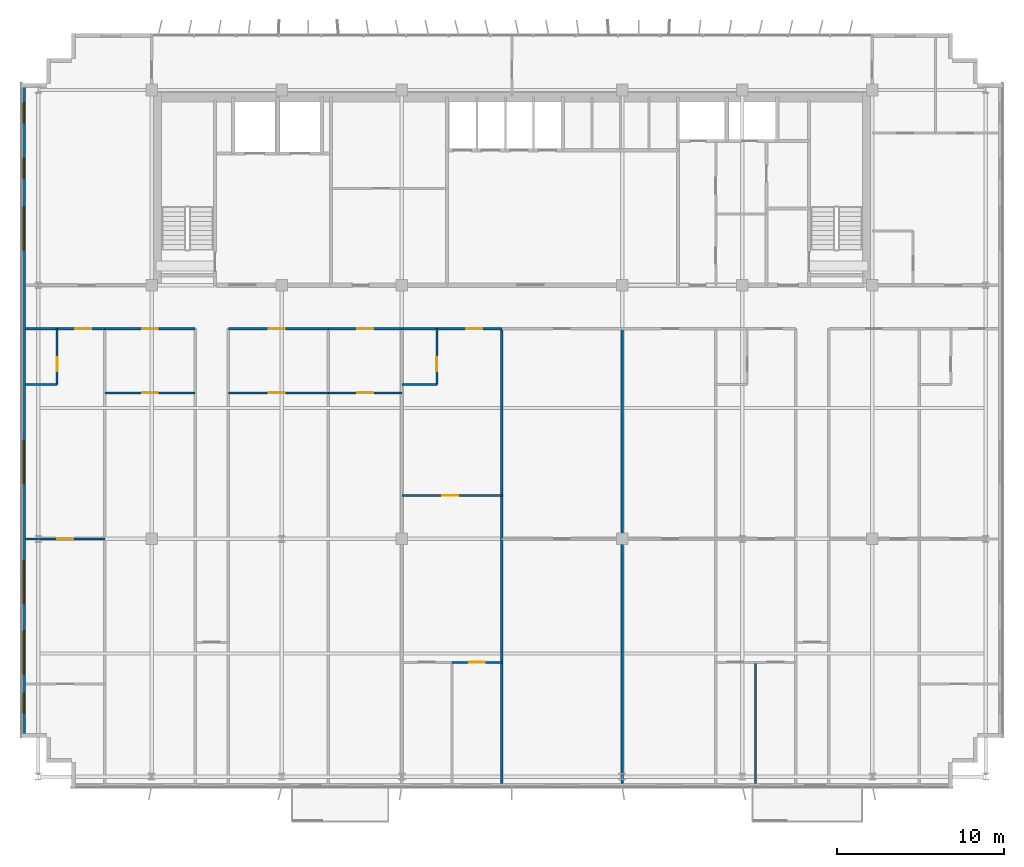
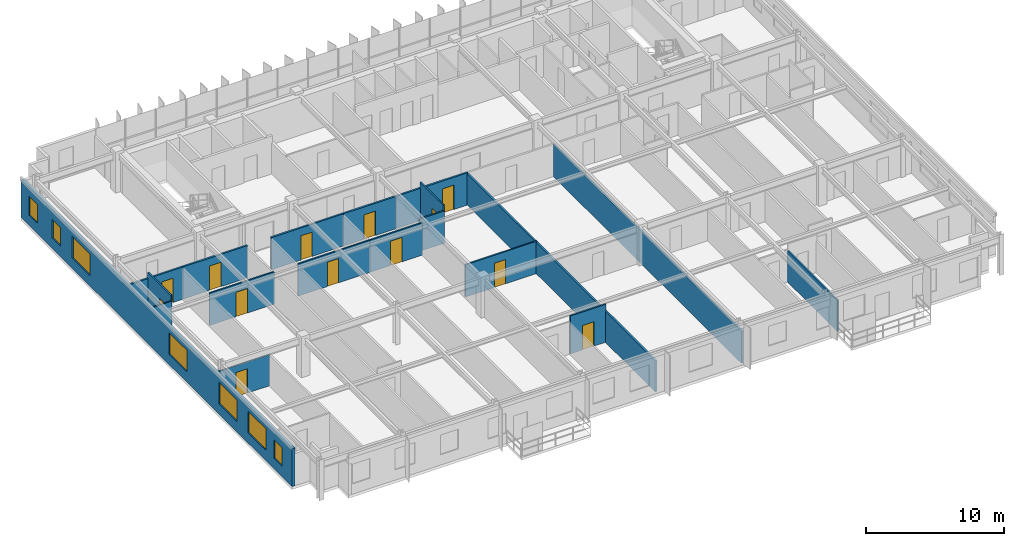
# One storey, part 15 of 21: 19 walls, 13 doors, 7 windows, 20 openings.
"""IFC4 building model written with IfcOpenShell, lengths in metres."""

from ifc_helpers import new_model, si_unit, direction, frame, frame_2d, origin, place, context, subcontext, project, spatial, rectangle, extrude, source, transform, mapped, material, layer, layer_set, type_object, element, fill, save


model = new_model("IFC4")

# Units and contexts
model_context = context("Model", 3, precision=1e-05, world=origin(), true_north=direction((0.0, 1.0)))
body_context = subcontext(model_context, "Body", "Model", "MODEL_VIEW")
ifc_project = project(units=[si_unit("LENGTHUNIT", "METRE"), si_unit("AREAUNIT", "SQUARE_METRE"), si_unit("VOLUMEUNIT", "CUBIC_METRE"), si_unit("PLANEANGLEUNIT", "RADIAN"), si_unit("MASSUNIT", "GRAM", prefix="KILO")], contexts=[model_context])

# Site, building, storey
site_placement = place(None, origin())
site = spatial("IfcSite", under=ifc_project, at=site_placement, CompositionType="ELEMENT")
building_placement = place(site_placement, origin())
building = spatial("IfcBuilding", under=site, at=building_placement, Name="Trelvane Seafront Commons", CompositionType="ELEMENT")
storey_placement = place(building_placement, frame((0.0, 0.0, 160.89990234375)))
storey = spatial("IfcBuildingStorey", under=building, at=storey_placement, Name="L42", CompositionType="ELEMENT", Elevation=160.89990234375)

# Wall, openings, windows
ifc_material_1 = material(Name="Precast concrete C40/50", Category="concrete")
ifc_layer_1 = layer(ifc_material_1, 0.239990234375, Name="ARCH-WALL-EXT240")
ifc_layer_set_1 = layer_set([ifc_layer_1], Name="Precast concrete C40/50")
wall_type_1 = type_object("IfcWallType", Name="ARCH-WALL-EXT240", PredefinedType="SOLIDWALL", material=ifc_layer_set_1)
wall_1_placement = place(storey_placement, frame((7.919921875, 6.300048828125, 0.0), z_axis=(0.0, 0.0, 1.0), x_axis=(0.0, 1.0, 0.0)))
wall_1 = element("IfcWall", 1, at=wall_1_placement, inside=storey, type_object=wall_type_1, Name="EW-L42-00826", PredefinedType="SOLIDWALL", context=body_context, shape_type="SweptSolid", body=[
    extrude(rectangle(XDim=39.199951171875, YDim=0.239990234375, at=frame_2d((19.60009765625, 0.0))), origin(), (0.0, 0.0, 1.0), 3.35009765625),
])
opening_1_placement = place(wall_1_placement, frame((1.449951171875, 0.0, 0.919921875)))
opening_1 = element("IfcOpeningElement", 2, at=opening_1_placement, cuts=wall_1, Name="Opening W05", PredefinedType="OPENING", context=body_context, shape_type="SweptSolid", body=[
    extrude(rectangle(XDim=1.199951171875, YDim=1.64990234375, at=frame_2d((0.60009765625, 0.824951171875))), frame((0.0, 0.1298828125, 0.0), z_axis=(0.0, -1.0, 0.0), x_axis=(1.0, 0.0, 0.0)), (0.0, 0.0, 1.0), 0.260009765625),
])
opening_2_placement = place(wall_1_placement, frame((3.800048828125, 0.0, 0.919921875)))
opening_2 = element("IfcOpeningElement", 3, at=opening_2_placement, cuts=wall_1, Name="Opening W04", PredefinedType="OPENING", context=body_context, shape_type="SweptSolid", body=[
    extrude(rectangle(XDim=2.60009765625, YDim=1.89990234375, at=frame_2d((1.300048828125, 0.949951171875))), frame((0.0, 0.1298828125, 0.0), z_axis=(0.0, -1.0, 0.0), x_axis=(1.0, 0.0, 0.0)), (0.0, 0.0, 1.0), 0.260009765625),
])
opening_3_placement = place(wall_1_placement, frame((8.0, 0.0, 0.919921875)))
opening_3 = element("IfcOpeningElement", 4, at=opening_3_placement, cuts=wall_1, Name="Opening W04", PredefinedType="OPENING", context=body_context, shape_type="SweptSolid", body=[
    extrude(rectangle(XDim=2.60009765625, YDim=1.89990234375, at=frame_2d((1.300048828125, 0.949951171875))), frame((0.0, 0.1298828125, 0.0), z_axis=(0.0, -1.0, 0.0), x_axis=(1.0, 0.0, 0.0)), (0.0, 0.0, 1.0), 0.260009765625),
])
opening_4_placement = place(wall_1_placement, frame((15.199951171875, 0.0, 0.919921875)))
opening_4 = element("IfcOpeningElement", 5, at=opening_4_placement, cuts=wall_1, Name="Opening W04", PredefinedType="OPENING", context=body_context, shape_type="SweptSolid", body=[
    extrude(rectangle(XDim=2.60009765625, YDim=1.89990234375, at=frame_2d((1.300048828125, 0.949951171875))), frame((0.0, 0.1298828125, 0.0), z_axis=(0.0, -1.0, 0.0), x_axis=(1.0, 0.0, 0.0)), (0.0, 0.0, 1.0), 0.260009765625),
])
opening_5_placement = place(wall_1_placement, frame((29.199951171875, 0.0, 0.919921875)))
opening_5 = element("IfcOpeningElement", 6, at=opening_5_placement, cuts=wall_1, Name="Opening W04", PredefinedType="OPENING", context=body_context, shape_type="SweptSolid", body=[
    extrude(rectangle(XDim=2.60009765625, YDim=1.89990234375, at=frame_2d((1.300048828125, 0.949951171875))), frame((0.0, 0.1298828125, 0.0), z_axis=(0.0, -1.0, 0.0), x_axis=(1.0, 0.0, 0.0)), (0.0, 0.0, 1.0), 0.260009765625),
])
opening_6_placement = place(wall_1_placement, frame((33.5, 0.0, 0.919921875)))
opening_6 = element("IfcOpeningElement", 7, at=opening_6_placement, cuts=wall_1, Name="Opening W05", PredefinedType="OPENING", context=body_context, shape_type="SweptSolid", body=[
    extrude(rectangle(XDim=1.199951171875, YDim=1.64990234375, at=frame_2d((0.60009765625, 0.824951171875))), frame((0.0, 0.1298828125, 0.0), z_axis=(0.0, -1.0, 0.0), x_axis=(1.0, 0.0, 0.0)), (0.0, 0.0, 1.0), 0.260009765625),
])
opening_7_placement = place(wall_1_placement, frame((36.85009765625, 0.0, 0.919921875)))
opening_7 = element("IfcOpeningElement", 8, at=opening_7_placement, cuts=wall_1, Name="Opening W05", PredefinedType="OPENING", context=body_context, shape_type="SweptSolid", body=[
    extrude(rectangle(XDim=1.199951171875, YDim=1.64990234375, at=frame_2d((0.60009765625, 0.824951171875))), frame((0.0, 0.1298828125, 0.0), z_axis=(0.0, -1.0, 0.0), x_axis=(1.0, 0.0, 0.0)), (0.0, 0.0, 1.0), 0.260009765625),
])
ifc_material_2 = material(Name="Low-E coastal double glazing", Category="glass")
window_type_1 = type_object("IfcWindowType", Name="ARCH-WIN-W04", PartitioningType="SINGLE_PANEL", PredefinedType="WINDOW", material=ifc_material_2)
shared_shape_1 = source(origin(), body_context, "Body", "SweptSolid", [
    extrude(rectangle(XDim=2.60009765625, YDim=1.89990234375, at=frame_2d((1.300048828125, 0.949951171875))), frame((0.0, 0.030029296875, 0.0), z_axis=(0.0, -1.0, 0.0), x_axis=(1.0, 0.0, 0.0)), (0.0, 0.0, 1.0), 0.06005859375),
])
window_1_placement = place(opening_2_placement, origin())
window_1 = element("IfcWindow", 9, at=window_1_placement, inside=storey, type_object=window_type_1, Name="WIN-L42-EW-00986", OverallHeight=1.89990234375, OverallWidth=2.60009765625, PartitioningType="SINGLE_PANEL", PredefinedType="WINDOW", context=body_context, shape_type="MappedRepresentation", body=[
    mapped(shared_shape_1, transform((0.0, 0.0, 0.0), x_axis=(1.0, 0.0, 0.0), y_axis=(0.0, 1.0, 0.0), z_axis=(0.0, 0.0, 1.0), scale=1.0)),
])
fill(opening_2, window_1)
window_2_placement = place(opening_3_placement, origin())
window_2 = element("IfcWindow", 10, at=window_2_placement, inside=storey, type_object=window_type_1, Name="WIN-L42-EW-00987", OverallHeight=1.89990234375, OverallWidth=2.60009765625, PartitioningType="SINGLE_PANEL", PredefinedType="WINDOW", context=body_context, shape_type="MappedRepresentation", body=[
    mapped(shared_shape_1, transform((0.0, 0.0, 0.0), x_axis=(1.0, 0.0, 0.0), y_axis=(0.0, 1.0, 0.0), z_axis=(0.0, 0.0, 1.0), scale=1.0)),
])
fill(opening_3, window_2)
window_3_placement = place(opening_4_placement, origin())
window_3 = element("IfcWindow", 11, at=window_3_placement, inside=storey, type_object=window_type_1, Name="WIN-L42-EW-00988", OverallHeight=1.89990234375, OverallWidth=2.60009765625, PartitioningType="SINGLE_PANEL", PredefinedType="WINDOW", context=body_context, shape_type="MappedRepresentation", body=[
    mapped(shared_shape_1, transform((0.0, 0.0, 0.0), x_axis=(1.0, 0.0, 0.0), y_axis=(0.0, 1.0, 0.0), z_axis=(0.0, 0.0, 1.0), scale=1.0)),
])
fill(opening_4, window_3)
window_4_placement = place(opening_5_placement, origin())
window_4 = element("IfcWindow", 12, at=window_4_placement, inside=storey, type_object=window_type_1, Name="WIN-L42-EW-00989", OverallHeight=1.89990234375, OverallWidth=2.60009765625, PartitioningType="SINGLE_PANEL", PredefinedType="WINDOW", context=body_context, shape_type="MappedRepresentation", body=[
    mapped(shared_shape_1, transform((0.0, 0.0, 0.0), x_axis=(1.0, 0.0, 0.0), y_axis=(0.0, 1.0, 0.0), z_axis=(0.0, 0.0, 1.0), scale=1.0)),
])
fill(opening_5, window_4)
window_type_2 = type_object("IfcWindowType", Name="ARCH-WIN-W05", PartitioningType="SINGLE_PANEL", PredefinedType="WINDOW", material=ifc_material_2)
shared_shape_2 = source(origin(), body_context, "Body", "SweptSolid", [
    extrude(rectangle(XDim=1.199951171875, YDim=1.64990234375, at=frame_2d((0.60009765625, 0.824951171875))), frame((0.0, 0.030029296875, 0.0), z_axis=(0.0, -1.0, 0.0), x_axis=(1.0, 0.0, 0.0)), (0.0, 0.0, 1.0), 0.06005859375),
])
window_5_placement = place(opening_1_placement, origin())
window_5 = element("IfcWindow", 13, at=window_5_placement, inside=storey, type_object=window_type_2, Name="WIN-L42-EW-00985", OverallHeight=1.64990234375, OverallWidth=1.199951171875, PartitioningType="SINGLE_PANEL", PredefinedType="WINDOW", context=body_context, shape_type="MappedRepresentation", body=[
    mapped(shared_shape_2, transform((0.0, 0.0, 0.0), x_axis=(1.0, 0.0, 0.0), y_axis=(0.0, 1.0, 0.0), z_axis=(0.0, 0.0, 1.0), scale=1.0)),
])
fill(opening_1, window_5)
window_6_placement = place(opening_6_placement, origin())
window_6 = element("IfcWindow", 14, at=window_6_placement, inside=storey, type_object=window_type_2, Name="WIN-L42-EW-00990", OverallHeight=1.64990234375, OverallWidth=1.199951171875, PartitioningType="SINGLE_PANEL", PredefinedType="WINDOW", context=body_context, shape_type="MappedRepresentation", body=[
    mapped(shared_shape_2, transform((0.0, 0.0, 0.0), x_axis=(1.0, 0.0, 0.0), y_axis=(0.0, 1.0, 0.0), z_axis=(0.0, 0.0, 1.0), scale=1.0)),
])
fill(opening_6, window_6)
window_7_placement = place(opening_7_placement, origin())
window_7 = element("IfcWindow", 15, at=window_7_placement, inside=storey, type_object=window_type_2, Name="WIN-L42-EW-00991", OverallHeight=1.64990234375, OverallWidth=1.199951171875, PartitioningType="SINGLE_PANEL", PredefinedType="WINDOW", context=body_context, shape_type="MappedRepresentation", body=[
    mapped(shared_shape_2, transform((0.0, 0.0, 0.0), x_axis=(1.0, 0.0, 0.0), y_axis=(0.0, 1.0, 0.0), z_axis=(0.0, 0.0, 1.0), scale=1.0)),
])
fill(opening_7, window_7)

# Wall, opening, door
ifc_material_3 = material(Name="Gypsum Drywall Acoustic Partition")
ifc_layer_2 = layer(ifc_material_3, 0.1201171875, Name="ARCH-WALL-PART120")
ifc_layer_set_2 = layer_set([ifc_layer_2], Name="Gypsum Drywall Acoustic Partition")
wall_type_2 = type_object("IfcWallType", Name="ARCH-WALL-PART120", PredefinedType="PARTITIONING", material=ifc_layer_set_2)
wall_2_placement = place(storey_placement, frame((8.0400390625, 18.199951171875, 0.0), z_axis=(0.0, 0.0, 1.0), x_axis=(1.0, 0.0, 0.0)))
wall_2 = element("IfcWall", 16, at=wall_2_placement, inside=storey, type_object=wall_type_2, Name="W-L42-U1-KL-053", PredefinedType="PARTITIONING", context=body_context, shape_type="SweptSolid", body=[
    extrude(rectangle(XDim=4.760009765625, YDim=0.1201171875, at=frame_2d((2.3798828125, 0.0))), origin(), (0.0, 0.0, 1.0), 2.75),
])
opening_8_placement = place(wall_2_placement, frame((1.905029296875, 0.0, 0.0)))
opening_8 = element("IfcOpeningElement", 17, at=opening_8_placement, cuts=wall_2, Name="Opening D-L42-28", PredefinedType="OPENING", context=body_context, shape_type="SweptSolid", body=[
    extrude(rectangle(XDim=0.949951171875, YDim=2.14990234375, at=frame_2d((0.47509765625, 1.074951171875))), frame((0.0, 0.070068359375, 0.0), z_axis=(0.0, -1.0, 0.0), x_axis=(1.0, 0.0, 0.0)), (0.0, 0.0, 1.0), 0.14013671875),
])
ifc_material_4 = material(Name="Acoustic timber door leaf", Category="wood")
door_type_1 = type_object("IfcDoorType", Name="ARCH-DR-INT950", OperationType="NOTDEFINED", PredefinedType="DOOR", material=ifc_material_4)
shared_shape_3 = source(origin(), body_context, "Body", "SweptSolid", [
    extrude(rectangle(XDim=0.949951171875, YDim=2.14990234375, at=frame_2d((0.47509765625, 1.074951171875))), frame((0.0, 0.02490234375, 0.0), z_axis=(0.0, -1.0, 0.0), x_axis=(1.0, 0.0, 0.0)), (0.0, 0.0, 1.0), 0.050048828125),
])
door_1_placement = place(opening_8_placement, origin())
door_1 = element("IfcDoor", 18, at=door_1_placement, inside=storey, type_object=door_type_1, Name="L42 Door 28", OperationType="SINGLE_SWING_RIGHT", OverallHeight=2.14990234375, OverallWidth=0.949951171875, PredefinedType="DOOR", context=body_context, shape_type="MappedRepresentation", body=[
    mapped(shared_shape_3, transform((0.0, 0.0, 0.0), x_axis=(1.0, 0.0, 0.0), y_axis=(0.0, 1.0, 0.0), z_axis=(0.0, 0.0, 1.0), scale=1.0)),
])
fill(opening_8, door_1)

wall_3_placement = place(storey_placement, frame((9.93994140625, 27.449951171875, 0.0), z_axis=(0.0, 0.0, 1.0), x_axis=(0.0, 1.0, 0.0)))
wall_3 = element("IfcWall", 19, at=wall_3_placement, inside=storey, type_object=wall_type_2, Name="W-L42-U1-BE-054", PredefinedType="PARTITIONING", context=body_context, shape_type="SweptSolid", body=[
    extrude(rectangle(XDim=3.35009765625, YDim=0.1201171875, at=frame_2d((1.675048828125, 0.0))), origin(), (0.0, 0.0, 1.0), 3.35009765625),
])
opening_9_placement = place(wall_3_placement, frame((0.800048828125, 0.0, 0.0)))
opening_9 = element("IfcOpeningElement", 20, at=opening_9_placement, cuts=wall_3, Name="Opening D-L42-29", PredefinedType="OPENING", context=body_context, shape_type="SweptSolid", body=[
    extrude(rectangle(XDim=0.85009765625, YDim=2.10009765625, at=frame_2d((0.425048828125, 1.050048828125))), frame((0.0, 0.070068359375, 0.0), z_axis=(0.0, -1.0, 0.0), x_axis=(1.0, 0.0, 0.0)), (0.0, 0.0, 1.0), 0.14013671875),
])
door_type_2 = type_object("IfcDoorType", Name="ARCH-DR-INT850", OperationType="NOTDEFINED", PredefinedType="DOOR", material=ifc_material_4)
shared_shape_4 = source(origin(), body_context, "Body", "SweptSolid", [
    extrude(rectangle(XDim=0.85009765625, YDim=2.10009765625, at=frame_2d((0.425048828125, 1.050048828125))), frame((0.0, 0.02490234375, 0.0), z_axis=(0.0, -1.0, 0.0), x_axis=(1.0, 0.0, 0.0)), (0.0, 0.0, 1.0), 0.050048828125),
])
door_2_placement = place(opening_9_placement, origin())
door_2 = element("IfcDoor", 21, at=door_2_placement, inside=storey, type_object=door_type_2, Name="L42 Door 29", OperationType="SINGLE_SWING_LEFT", OverallHeight=2.10009765625, OverallWidth=0.85009765625, PredefinedType="DOOR", context=body_context, shape_type="MappedRepresentation", body=[
    mapped(shared_shape_4, transform((0.0, 0.0, 0.0), x_axis=(1.0, 0.0, 0.0), y_axis=(0.0, 1.0, 0.0), z_axis=(0.0, 0.0, 1.0), scale=1.0)),
])
fill(opening_9, door_2)

# Wall
wall_4_placement = place(storey_placement, frame((8.0400390625, 27.449951171875, 0.0), z_axis=(0.0, 0.0, 1.0), x_axis=(1.0, 0.0, 0.0)))
element("IfcWall", 22, at=wall_4_placement, inside=storey, type_object=wall_type_2, Name="W-L42-U1-BS-055", PredefinedType="PARTITIONING", context=body_context, shape_type="SweptSolid", body=[
    extrude(rectangle(XDim=1.89990234375, YDim=0.1201171875, at=frame_2d((0.949951171875, 0.0))), origin(), (0.0, 0.0, 1.0), 2.85009765625),
])

# Wall, opening, door
wall_5_placement = place(storey_placement, frame((12.800048828125, 26.949951171875, 0.0), z_axis=(0.0, 0.0, 1.0), x_axis=(1.0, 0.0, 0.0)))
wall_5 = element("IfcWall", 23, at=wall_5_placement, inside=storey, type_object=wall_type_2, Name="W-L42-U2-DIV-059", PredefinedType="PARTITIONING", context=body_context, shape_type="SweptSolid", body=[
    extrude(rectangle(XDim=5.39990234375, YDim=0.1201171875, at=frame_2d((2.699951171875, 0.0))), origin(), (0.0, 0.0, 1.0), 2.85009765625),
])
opening_10_placement = place(wall_5_placement, frame((2.22509765625, 0.0, 0.0)))
opening_10 = element("IfcOpeningElement", 24, at=opening_10_placement, cuts=wall_5, Name="Opening D-L42-33", PredefinedType="OPENING", context=body_context, shape_type="SweptSolid", body=[
    extrude(rectangle(XDim=0.949951171875, YDim=2.14990234375, at=frame_2d((0.47509765625, 1.074951171875))), frame((0.0, 0.070068359375, 0.0), z_axis=(0.0, -1.0, 0.0), x_axis=(1.0, 0.0, 0.0)), (0.0, 0.0, 1.0), 0.14013671875),
])
door_3_placement = place(opening_10_placement, origin())
door_3 = element("IfcDoor", 25, at=door_3_placement, inside=storey, type_object=door_type_1, Name="L42 Door 33", OperationType="SINGLE_SWING_LEFT", OverallHeight=2.14990234375, OverallWidth=0.949951171875, PredefinedType="DOOR", context=body_context, shape_type="MappedRepresentation", body=[
    mapped(shared_shape_3, transform((0.0, 0.0, 0.0), x_axis=(1.0, 0.0, 0.0), y_axis=(0.0, 1.0, 0.0), z_axis=(0.0, 0.0, 1.0), scale=1.0)),
])
fill(opening_10, door_3)

wall_6_placement = place(storey_placement, frame((20.199951171875, 26.949951171875, 0.0), z_axis=(0.0, 0.0, 1.0), x_axis=(1.0, 0.0, 0.0)))
wall_6 = element("IfcWall", 26, at=wall_6_placement, inside=storey, type_object=wall_type_2, Name="W-L42-U4-DIV-064", PredefinedType="PARTITIONING", context=body_context, shape_type="SweptSolid", body=[
    extrude(rectangle(XDim=6.0, YDim=0.1201171875, at=frame_2d((3.0, 0.0))), origin(), (0.0, 0.0, 1.0), 2.85009765625),
])
opening_11_placement = place(wall_6_placement, frame((2.431884765625, 0.0, 0.0)))
opening_11 = element("IfcOpeningElement", 27, at=opening_11_placement, cuts=wall_6, Name="Opening D-L42-36", PredefinedType="OPENING", context=body_context, shape_type="SweptSolid", body=[
    extrude(rectangle(XDim=0.949951171875, YDim=2.14990234375, at=frame_2d((0.47509765625, 1.074951171875))), frame((0.0, 0.070068359375, 0.0), z_axis=(0.0, -1.0, 0.0), x_axis=(1.0, 0.0, 0.0)), (0.0, 0.0, 1.0), 0.14013671875),
])
door_4_placement = place(opening_11_placement, origin())
door_4 = element("IfcDoor", 28, at=door_4_placement, inside=storey, type_object=door_type_1, Name="L42 Door 36", OperationType="SINGLE_SWING_RIGHT", OverallHeight=2.14990234375, OverallWidth=0.949951171875, PredefinedType="DOOR", context=body_context, shape_type="MappedRepresentation", body=[
    mapped(shared_shape_3, transform((0.0, 0.0, 0.0), x_axis=(1.0, 0.0, 0.0), y_axis=(0.0, 1.0, 0.0), z_axis=(0.0, 0.0, 1.0), scale=1.0)),
])
fill(opening_11, door_4)

wall_7_placement = place(storey_placement, frame((26.199951171875, 26.949951171875, 0.0), z_axis=(0.0, 0.0, 1.0), x_axis=(1.0, 0.0, 0.0)))
wall_7 = element("IfcWall", 29, at=wall_7_placement, inside=storey, type_object=wall_type_2, Name="W-L42-U5-DIV-066", PredefinedType="PARTITIONING", context=body_context, shape_type="SweptSolid", body=[
    extrude(rectangle(XDim=4.400146484375, YDim=0.1201171875, at=frame_2d((2.2001953125, 0.0))), origin(), (0.0, 0.0, 1.0), 2.85009765625),
])
opening_12_placement = place(wall_7_placement, frame((1.72509765625, 0.0, 0.0)))
opening_12 = element("IfcOpeningElement", 30, at=opening_12_placement, cuts=wall_7, Name="Opening D-L42-38", PredefinedType="OPENING", context=body_context, shape_type="SweptSolid", body=[
    extrude(rectangle(XDim=0.949951171875, YDim=2.14990234375, at=frame_2d((0.47509765625, 1.074951171875))), frame((0.0, 0.070068359375, 0.0), z_axis=(0.0, -1.0, 0.0), x_axis=(1.0, 0.0, 0.0)), (0.0, 0.0, 1.0), 0.14013671875),
])
door_5_placement = place(opening_12_placement, origin())
door_5 = element("IfcDoor", 31, at=door_5_placement, inside=storey, type_object=door_type_1, Name="L42 Door 38", OperationType="SINGLE_SWING_RIGHT", OverallHeight=2.14990234375, OverallWidth=0.949951171875, PredefinedType="DOOR", context=body_context, shape_type="MappedRepresentation", body=[
    mapped(shared_shape_3, transform((0.0, 0.0, 0.0), x_axis=(1.0, 0.0, 0.0), y_axis=(0.0, 1.0, 0.0), z_axis=(0.0, 0.0, 1.0), scale=1.0)),
])
fill(opening_12, door_5)

wall_8_placement = place(storey_placement, frame((30.60009765625, 20.800048828125, 0.0), z_axis=(0.0, 0.0, 1.0), x_axis=(1.0, 0.0, 0.0)))
wall_8 = element("IfcWall", 32, at=wall_8_placement, inside=storey, type_object=wall_type_2, Name="W-L42-U6-KL-067", PredefinedType="PARTITIONING", context=body_context, shape_type="SweptSolid", body=[
    extrude(rectangle(XDim=6.0, YDim=0.1201171875, at=frame_2d((3.0, 0.0))), origin(), (0.0, 0.0, 1.0), 2.85009765625),
])
opening_13_placement = place(wall_8_placement, frame((2.431884765625, 0.0, 0.0)))
opening_13 = element("IfcOpeningElement", 33, at=opening_13_placement, cuts=wall_8, Name="Opening D-L42-39", PredefinedType="OPENING", context=body_context, shape_type="SweptSolid", body=[
    extrude(rectangle(XDim=0.949951171875, YDim=2.14990234375, at=frame_2d((0.47509765625, 1.074951171875))), frame((0.0, 0.070068359375, 0.0), z_axis=(0.0, -1.0, 0.0), x_axis=(1.0, 0.0, 0.0)), (0.0, 0.0, 1.0), 0.14013671875),
])
door_6_placement = place(opening_13_placement, origin())
door_6 = element("IfcDoor", 34, at=door_6_placement, inside=storey, type_object=door_type_1, Name="L42 Door 39", OperationType="SINGLE_SWING_LEFT", OverallHeight=2.14990234375, OverallWidth=0.949951171875, PredefinedType="DOOR", context=body_context, shape_type="MappedRepresentation", body=[
    mapped(shared_shape_3, transform((0.0, 0.0, 0.0), x_axis=(1.0, 0.0, 0.0), y_axis=(0.0, 1.0, 0.0), z_axis=(0.0, 0.0, 1.0), scale=1.0)),
])
fill(opening_13, door_6)

wall_9_placement = place(storey_placement, frame((32.68994140625, 27.449951171875, 0.0), z_axis=(0.0, 0.0, 1.0), x_axis=(0.0, 1.0, 0.0)))
wall_9 = element("IfcWall", 35, at=wall_9_placement, inside=storey, type_object=wall_type_2, Name="W-L42-U6-BE-068", PredefinedType="PARTITIONING", context=body_context, shape_type="SweptSolid", body=[
    extrude(rectangle(XDim=3.35009765625, YDim=0.1201171875, at=frame_2d((1.675048828125, 0.0))), origin(), (0.0, 0.0, 1.0), 3.35009765625),
])
opening_14_placement = place(wall_9_placement, frame((0.800048828125, 0.0, 0.0)))
opening_14 = element("IfcOpeningElement", 36, at=opening_14_placement, cuts=wall_9, Name="Opening D-L42-40", PredefinedType="OPENING", context=body_context, shape_type="SweptSolid", body=[
    extrude(rectangle(XDim=0.85009765625, YDim=2.10009765625, at=frame_2d((0.425048828125, 1.050048828125))), frame((0.0, 0.070068359375, 0.0), z_axis=(0.0, -1.0, 0.0), x_axis=(1.0, 0.0, 0.0)), (0.0, 0.0, 1.0), 0.14013671875),
])
door_7_placement = place(opening_14_placement, origin())
door_7 = element("IfcDoor", 37, at=door_7_placement, inside=storey, type_object=door_type_2, Name="L42 Door 40", OperationType="SINGLE_SWING_RIGHT", OverallHeight=2.10009765625, OverallWidth=0.85009765625, PredefinedType="DOOR", context=body_context, shape_type="MappedRepresentation", body=[
    mapped(shared_shape_4, transform((0.0, 0.0, 0.0), x_axis=(1.0, 0.0, 0.0), y_axis=(0.0, 1.0, 0.0), z_axis=(0.0, 0.0, 1.0), scale=1.0)),
])
fill(opening_14, door_7)

# Wall
wall_10_placement = place(storey_placement, frame((30.60009765625, 27.449951171875, 0.0), z_axis=(0.0, 0.0, 1.0), x_axis=(1.0, 0.0, 0.0)))
element("IfcWall", 38, at=wall_10_placement, inside=storey, type_object=wall_type_2, Name="W-L42-U6-BS-069", PredefinedType="PARTITIONING", context=body_context, shape_type="SweptSolid", body=[
    extrude(rectangle(XDim=2.08984375, YDim=0.1201171875, at=frame_2d((1.044921875, 0.0))), origin(), (0.0, 0.0, 1.0), 2.85009765625),
])

# Wall, opening, door
wall_11_placement = place(storey_placement, frame((33.60009765625, 10.800048828125, 0.0), z_axis=(0.0, 0.0, 1.0), x_axis=(1.0, 0.0, 0.0)))
wall_11 = element("IfcWall", 39, at=wall_11_placement, inside=storey, type_object=wall_type_2, Name="W-L42-U6-YM-2-072", PredefinedType="PARTITIONING", context=body_context, shape_type="SweptSolid", body=[
    extrude(rectangle(XDim=3.0, YDim=0.1201171875, at=frame_2d((1.5, 0.0))), origin(), (0.0, 0.0, 1.0), 3.35009765625),
])
opening_15_placement = place(wall_11_placement, frame((1.02490234375, 0.0, 0.0)))
opening_15 = element("IfcOpeningElement", 40, at=opening_15_placement, cuts=wall_11, Name="Opening D-L42-43", PredefinedType="OPENING", context=body_context, shape_type="SweptSolid", body=[
    extrude(rectangle(XDim=0.949951171875, YDim=2.14990234375, at=frame_2d((0.47509765625, 1.074951171875))), frame((0.0, 0.070068359375, 0.0), z_axis=(0.0, -1.0, 0.0), x_axis=(1.0, 0.0, 0.0)), (0.0, 0.0, 1.0), 0.14013671875),
])
door_8_placement = place(opening_15_placement, origin())
door_8 = element("IfcDoor", 41, at=door_8_placement, inside=storey, type_object=door_type_1, Name="L42 Door 43", OperationType="SINGLE_SWING_LEFT", OverallHeight=2.14990234375, OverallWidth=0.949951171875, PredefinedType="DOOR", context=body_context, shape_type="MappedRepresentation", body=[
    mapped(shared_shape_3, transform((0.0, 0.0, 0.0), x_axis=(1.0, 0.0, 0.0), y_axis=(0.0, 1.0, 0.0), z_axis=(0.0, 0.0, 1.0), scale=1.0)),
])
fill(opening_15, door_8)

# Walls
wall_12_placement = place(storey_placement, frame((51.800048828125, 3.52490234375, 0.0), z_axis=(0.0, 0.0, 1.0), x_axis=(0.0, 1.0, 0.0)))
element("IfcWall", 42, at=wall_12_placement, inside=storey, type_object=wall_type_2, Name="W-L42-U9-BDV-1-084", PredefinedType="PARTITIONING", context=body_context, shape_type="SweptSolid", body=[
    extrude(rectangle(XDim=7.275146484375, YDim=0.1201171875, at=frame_2d((3.6376953125, 0.0))), origin(), (0.0, 0.0, 1.0), 2.75),
])
ifc_layer_3 = layer(ifc_material_3, 0.14990234375, Name="ARCH-WALL-PART150")
ifc_layer_set_3 = layer_set([ifc_layer_3], Name="Gypsum Drywall Acoustic Partition")
wall_type_3 = type_object("IfcWallType", Name="ARCH-WALL-PART150", PredefinedType="PARTITIONING", material=ifc_layer_set_3)
wall_13_placement = place(storey_placement, frame((36.60009765625, 3.52490234375, 0.0), z_axis=(0.0, 0.0, 1.0), x_axis=(0.0, 1.0, 0.0)))
element("IfcWall", 43, at=wall_13_placement, inside=storey, type_object=wall_type_3, Name="W-L42-PW-6-049", PredefinedType="PARTITIONING", context=body_context, shape_type="SweptSolid", body=[
    extrude(rectangle(XDim=27.275146484375, YDim=0.14990234375, at=frame_2d((13.6376953125, 0.0))), origin(), (0.0, 0.0, 1.0), 2.75),
])
wall_14_placement = place(storey_placement, frame((43.800048828125, 3.52490234375, 0.0), z_axis=(0.0, 0.0, 1.0), x_axis=(0.0, 1.0, 0.0)))
element("IfcWall", 44, at=wall_14_placement, inside=storey, type_object=wall_type_3, Name="W-L42-PW-7-050", PredefinedType="PARTITIONING", context=body_context, shape_type="SweptSolid", body=[
    extrude(rectangle(XDim=27.275146484375, YDim=0.14990234375, at=frame_2d((13.6376953125, 0.0))), origin(), (0.0, 0.0, 1.0), 2.85009765625),
])

# Wall, opening, door
wall_15_placement = place(storey_placement, frame((8.02490234375, 30.800048828125, 0.0), z_axis=(0.0, 0.0, 1.0), x_axis=(1.0, 0.0, 0.0)))
wall_15 = element("IfcWall", 45, at=wall_15_placement, inside=storey, type_object=wall_type_3, Name="W-L42-CS-BAY-1-056", PredefinedType="PARTITIONING", context=body_context, shape_type="SweptSolid", body=[
    extrude(rectangle(XDim=4.775146484375, YDim=0.14990234375, at=frame_2d((2.3876953125, 0.0))), origin(), (0.0, 0.0, 1.0), 2.85009765625),
])
opening_16_placement = place(wall_15_placement, frame((2.993896484375, 0.0, 0.0)))
opening_16 = element("IfcOpeningElement", 46, at=opening_16_placement, cuts=wall_15, Name="Opening FD-L42-30", PredefinedType="OPENING", context=body_context, shape_type="SweptSolid", body=[
    extrude(rectangle(XDim=0.949951171875, YDim=2.14990234375, at=frame_2d((0.47509765625, 1.074951171875))), frame((0.0, 0.0849609375, 0.0), z_axis=(0.0, -1.0, 0.0), x_axis=(1.0, 0.0, 0.0)), (0.0, 0.0, 1.0), 0.169921875),
])
ifc_material_5 = material(Name="Powder-coated aluminium frame", Category="aluminium")
door_type_3 = type_object("IfcDoorType", Name="ARCH-DR-FD60-950", OperationType="NOTDEFINED", PredefinedType="DOOR", material=ifc_material_5)
door_9_placement = place(opening_16_placement, origin())
door_9 = element("IfcDoor", 47, at=door_9_placement, inside=storey, type_object=door_type_3, Name="L42 Unit 01 Entrance Door", OperationType="SINGLE_SWING_RIGHT", OverallHeight=2.14990234375, OverallWidth=0.949951171875, PredefinedType="DOOR", context=body_context, shape_type="MappedRepresentation", body=[
    mapped(shared_shape_3, transform((0.0, 0.0, 0.0), x_axis=(1.0, 0.0, 0.0), y_axis=(0.0, 1.0, 0.0), z_axis=(0.0, 0.0, 1.0), scale=1.0)),
])
fill(opening_16, door_9)

wall_16_placement = place(storey_placement, frame((12.800048828125, 30.800048828125, 0.0), z_axis=(0.0, 0.0, 1.0), x_axis=(1.0, 0.0, 0.0)))
wall_16 = element("IfcWall", 48, at=wall_16_placement, inside=storey, type_object=wall_type_3, Name="W-L42-CS-BAY-2-058", PredefinedType="PARTITIONING", context=body_context, shape_type="SweptSolid", body=[
    extrude(rectangle(XDim=5.39990234375, YDim=0.14990234375, at=frame_2d((2.699951171875, 0.0))), origin(), (0.0, 0.0, 1.0), 2.85009765625),
])
opening_17_placement = place(wall_16_placement, frame((2.22509765625, 0.0, 0.0)))
opening_17 = element("IfcOpeningElement", 49, at=opening_17_placement, cuts=wall_16, Name="Opening FD-L42-32", PredefinedType="OPENING", context=body_context, shape_type="SweptSolid", body=[
    extrude(rectangle(XDim=0.949951171875, YDim=2.14990234375, at=frame_2d((0.47509765625, 1.074951171875))), frame((0.0, 0.0849609375, 0.0), z_axis=(0.0, -1.0, 0.0), x_axis=(1.0, 0.0, 0.0)), (0.0, 0.0, 1.0), 0.169921875),
])
door_10_placement = place(opening_17_placement, origin())
door_10 = element("IfcDoor", 50, at=door_10_placement, inside=storey, type_object=door_type_3, Name="L42 Bay 02 Entrance Door", OperationType="SINGLE_SWING_RIGHT", OverallHeight=2.14990234375, OverallWidth=0.949951171875, PredefinedType="DOOR", context=body_context, shape_type="MappedRepresentation", body=[
    mapped(shared_shape_3, transform((0.0, 0.0, 0.0), x_axis=(1.0, 0.0, 0.0), y_axis=(0.0, 1.0, 0.0), z_axis=(0.0, 0.0, 1.0), scale=1.0)),
])
fill(opening_17, door_10)

wall_17_placement = place(storey_placement, frame((20.199951171875, 30.800048828125, 0.0), z_axis=(0.0, 0.0, 1.0), x_axis=(1.0, 0.0, 0.0)))
wall_17 = element("IfcWall", 51, at=wall_17_placement, inside=storey, type_object=wall_type_3, Name="W-L42-CS-BAY-4-063", PredefinedType="PARTITIONING", context=body_context, shape_type="SweptSolid", body=[
    extrude(rectangle(XDim=6.0, YDim=0.14990234375, at=frame_2d((3.0, 0.0))), origin(), (0.0, 0.0, 1.0), 2.85009765625),
])
opening_18_placement = place(wall_17_placement, frame((2.431884765625, 0.0, 0.0)))
opening_18 = element("IfcOpeningElement", 52, at=opening_18_placement, cuts=wall_17, Name="Opening FD-L42-35", PredefinedType="OPENING", context=body_context, shape_type="SweptSolid", body=[
    extrude(rectangle(XDim=0.949951171875, YDim=2.14990234375, at=frame_2d((0.47509765625, 1.074951171875))), frame((0.0, 0.0849609375, 0.0), z_axis=(0.0, -1.0, 0.0), x_axis=(1.0, 0.0, 0.0)), (0.0, 0.0, 1.0), 0.169921875),
])
door_11_placement = place(opening_18_placement, origin())
door_11 = element("IfcDoor", 53, at=door_11_placement, inside=storey, type_object=door_type_3, Name="L42 Bay 04 Entrance Door", OperationType="SINGLE_SWING_LEFT", OverallHeight=2.14990234375, OverallWidth=0.949951171875, PredefinedType="DOOR", context=body_context, shape_type="MappedRepresentation", body=[
    mapped(shared_shape_3, transform((0.0, 0.0, 0.0), x_axis=(1.0, 0.0, 0.0), y_axis=(0.0, 1.0, 0.0), z_axis=(0.0, 0.0, 1.0), scale=1.0)),
])
fill(opening_18, door_11)

wall_18_placement = place(storey_placement, frame((26.199951171875, 30.800048828125, 0.0), z_axis=(0.0, 0.0, 1.0), x_axis=(1.0, 0.0, 0.0)))
wall_18 = element("IfcWall", 54, at=wall_18_placement, inside=storey, type_object=wall_type_3, Name="W-L42-CS-BAY-5-065", PredefinedType="PARTITIONING", context=body_context, shape_type="SweptSolid", body=[
    extrude(rectangle(XDim=4.400146484375, YDim=0.14990234375, at=frame_2d((2.2001953125, 0.0))), origin(), (0.0, 0.0, 1.0), 2.85009765625),
])
opening_19_placement = place(wall_18_placement, frame((1.72509765625, 0.0, 0.0)))
opening_19 = element("IfcOpeningElement", 55, at=opening_19_placement, cuts=wall_18, Name="Opening FD-L42-37", PredefinedType="OPENING", context=body_context, shape_type="SweptSolid", body=[
    extrude(rectangle(XDim=0.949951171875, YDim=2.14990234375, at=frame_2d((0.47509765625, 1.074951171875))), frame((0.0, 0.0849609375, 0.0), z_axis=(0.0, -1.0, 0.0), x_axis=(1.0, 0.0, 0.0)), (0.0, 0.0, 1.0), 0.169921875),
])
door_12_placement = place(opening_19_placement, origin())
door_12 = element("IfcDoor", 56, at=door_12_placement, inside=storey, type_object=door_type_3, Name="L42 Bay 05 Entrance Door", OperationType="SINGLE_SWING_LEFT", OverallHeight=2.14990234375, OverallWidth=0.949951171875, PredefinedType="DOOR", context=body_context, shape_type="MappedRepresentation", body=[
    mapped(shared_shape_3, transform((0.0, 0.0, 0.0), x_axis=(1.0, 0.0, 0.0), y_axis=(0.0, 1.0, 0.0), z_axis=(0.0, 0.0, 1.0), scale=1.0)),
])
fill(opening_19, door_12)

wall_19_placement = place(storey_placement, frame((30.60009765625, 30.800048828125, 0.0), z_axis=(0.0, 0.0, 1.0), x_axis=(1.0, 0.0, 0.0)))
wall_19 = element("IfcWall", 57, at=wall_19_placement, inside=storey, type_object=wall_type_3, Name="W-L42-CS-BAY-6-070", PredefinedType="PARTITIONING", context=body_context, shape_type="SweptSolid", body=[
    extrude(rectangle(XDim=6.0, YDim=0.14990234375, at=frame_2d((3.0, 0.0))), origin(), (0.0, 0.0, 1.0), 2.85009765625),
])
opening_20_placement = place(wall_19_placement, frame((3.864990234375, 0.0, 0.0)))
opening_20 = element("IfcOpeningElement", 58, at=opening_20_placement, cuts=wall_19, Name="Opening FD-L42-41", PredefinedType="OPENING", context=body_context, shape_type="SweptSolid", body=[
    extrude(rectangle(XDim=0.949951171875, YDim=2.14990234375, at=frame_2d((0.47509765625, 1.074951171875))), frame((0.0, 0.0849609375, 0.0), z_axis=(0.0, -1.0, 0.0), x_axis=(1.0, 0.0, 0.0)), (0.0, 0.0, 1.0), 0.169921875),
])
door_13_placement = place(opening_20_placement, origin())
door_13 = element("IfcDoor", 59, at=door_13_placement, inside=storey, type_object=door_type_3, Name="L42 Unit 06 Entrance Door", OperationType="SINGLE_SWING_LEFT", OverallHeight=2.14990234375, OverallWidth=0.949951171875, PredefinedType="DOOR", context=body_context, shape_type="MappedRepresentation", body=[
    mapped(shared_shape_3, transform((0.0, 0.0, 0.0), x_axis=(1.0, 0.0, 0.0), y_axis=(0.0, 1.0, 0.0), z_axis=(0.0, 0.0, 1.0), scale=1.0)),
])
fill(opening_20, door_13)

save(model, "model.ifc")
